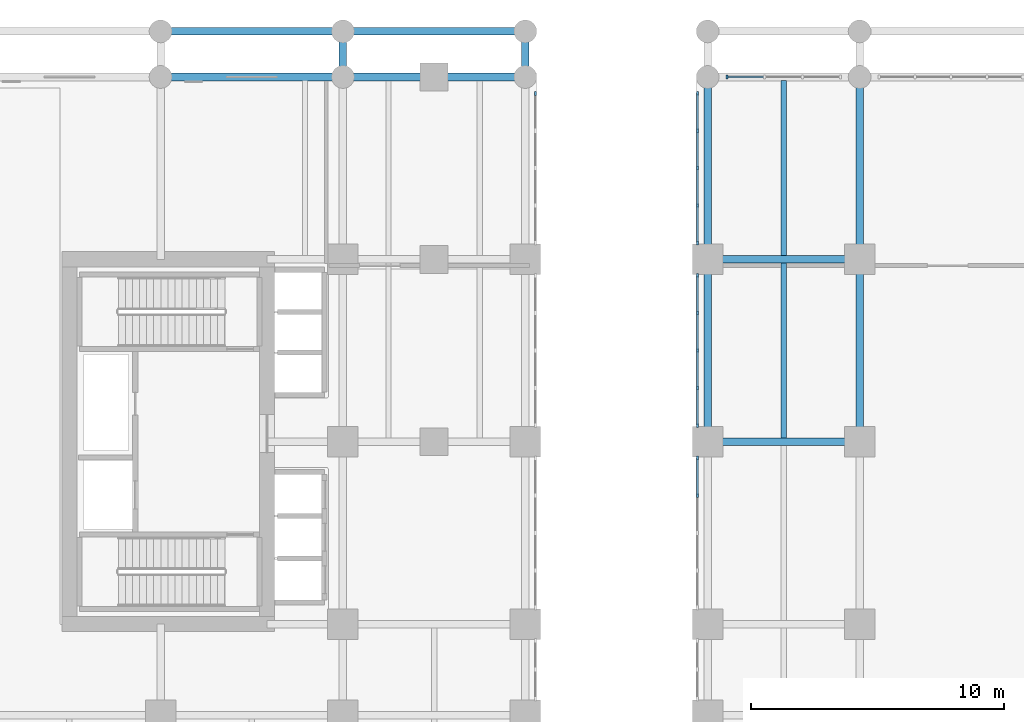
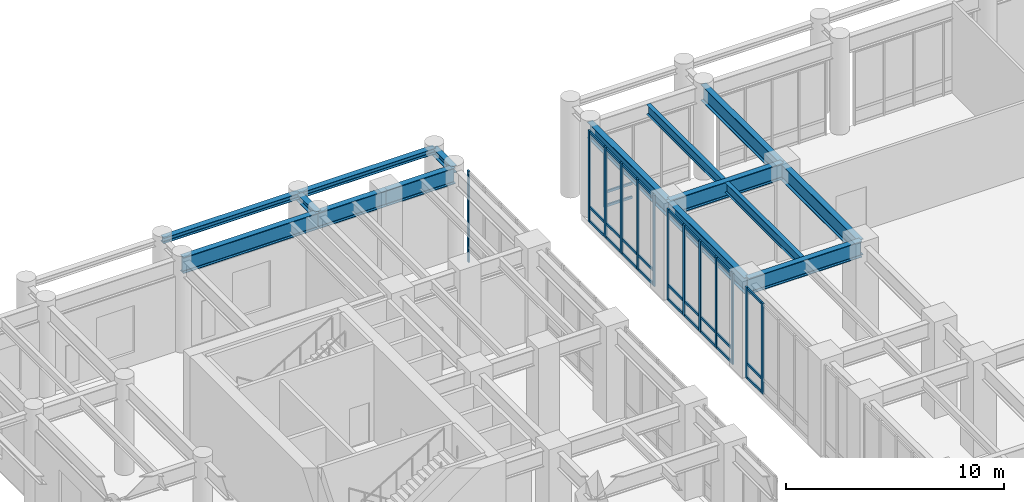
# One storey, part 7 of 23: 43 members, 15 beams, 5 elements without a shape of their own.
"""IFC4 building model written with IfcOpenShell, lengths in metres."""

from ifc_helpers import new_model, si_unit, derived_unit, direction, frame, origin, origin_2d, place, context, subcontext, project, spatial, rectangle, i_section, extrude, source, transform, mapped, material, layer, layer_set, material_profile, profile_set, type_object, type_shapes, element, aggregate, save


model = new_model("IFC4")

# Units and contexts
model_context = context("Model", 3, precision=1e-05, world=origin(), true_north=direction((0.0, 1.0)))
body_context = subcontext(model_context, "Body", "Model", "MODEL_VIEW")
ifc_project = project(units=[si_unit("LENGTHUNIT", "METRE"), si_unit("AREAUNIT", "SQUARE_METRE"), si_unit("VOLUMEUNIT", "CUBIC_METRE"), si_unit("PLANEANGLEUNIT", "RADIAN"), si_unit("MASSUNIT", "GRAM", prefix="KILO"), si_unit("THERMODYNAMICTEMPERATUREUNIT", "KELVIN"), si_unit("POWERUNIT", "WATT"), derived_unit("THERMALTRANSMITTANCEUNIT", [(si_unit("POWERUNIT", "WATT"), 1), (si_unit("AREAUNIT", "SQUARE_METRE"), -1), (si_unit("THERMODYNAMICTEMPERATUREUNIT", "KELVIN"), -1)])], contexts=[model_context])

# Site, building, storey
site_placement = place(None, origin())
site = spatial("IfcSite", under=ifc_project, at=site_placement, CompositionType="ELEMENT")
building_placement = place(site_placement, origin())
building = spatial("IfcBuilding", under=site, at=building_placement, Name="Zahravan Archway Hotel and Residences", CompositionType="ELEMENT")
storey_placement = place(building_placement, frame((0.0, 0.0, 5.39990234375)))
storey = spatial("IfcBuildingStorey", under=building, at=storey_placement, Name="L01", CompositionType="ELEMENT", Elevation=5.39990234375)

# Beams
ifc_material_1 = material(Name="Structural Steel S355J2", Category="steel")
ifc_material_profile_1 = material_profile(ifc_material_1, i_section(OverallWidth=0.300048828125, OverallDepth=0.89990234375, WebThickness=0.0185546875, FlangeThickness=0.034912109375, FilletRadius=0.030029296875, at=origin_2d()), Name="HEB 900", Category="steel")
ifc_profile_set_1 = profile_set([ifc_material_profile_1], Name="Structural Steel S355J2")
beam_type_1 = type_object("IfcBeamType", Name="BM-PRI-HEB900", PredefinedType="BEAM", material=ifc_profile_set_1)
shared_shape_1 = source(origin(), body_context, "Body", "SweptSolid", [
    extrude(i_section(OverallWidth=0.300048828125, OverallDepth=0.89990234375, WebThickness=0.0185546875, FlangeThickness=0.034912109375, FilletRadius=0.030029296875, at=origin_2d()), origin(), (0.0, 0.0, 1.0), 7.199951171875),
])
for number, where, z_axis, x_axis, name in (
    (1, (7.199951171875, 46.800048828125, 4.650146484375), (1.0, 0.0, 0.0), (0.0, 1.0, 0.0), "L01 Primary Girder EW-53"),
    (2, (28.800048828125, 39.60009765625, 4.650146484375), (0.0, 1.0, 0.0), (-1.0, 0.0, 0.0), "L01 Primary Girder NS-101"),
    (3, (34.800048828125, 39.60009765625, 4.650146484375), (0.0, 1.0, 0.0), (-1.0, 0.0, 0.0), "L01 Primary Girder NS-106"),
):
    element("IfcBeam", number, at=place(storey_placement, frame(where, z_axis=z_axis, x_axis=x_axis)), inside=storey, type_object=beam_type_1, Name=name, PredefinedType="BEAM", context=body_context, shape_type="MappedRepresentation", body=[
        mapped(shared_shape_1, transform((0.0, 0.0, 0.0), scale=1.0)),
    ])
shared_shape_2 = source(origin(), body_context, "Body", "SweptSolid", [
    extrude(i_section(OverallWidth=0.300048828125, OverallDepth=0.89990234375, WebThickness=0.0185546875, FlangeThickness=0.034912109375, FilletRadius=0.030029296875, at=origin_2d()), origin(), (0.0, 0.0, 1.0), 7.2001953125),
])
for number, where, z_axis, x_axis, name in (
    (4, (28.800048828125, 32.39990234375, 4.650146484375), (0.0, 1.0, 0.0), (-1.0, 0.0, 0.0), "L01 Primary Girder NS-100"),
    (5, (34.800048828125, 32.39990234375, 4.650146484375), (0.0, 1.0, 0.0), (-1.0, 0.0, 0.0), "L01 Primary Girder NS-105"),
):
    element("IfcBeam", number, at=place(storey_placement, frame(where, z_axis=z_axis, x_axis=x_axis)), inside=storey, type_object=beam_type_1, Name=name, PredefinedType="BEAM", context=body_context, shape_type="MappedRepresentation", body=[
        mapped(shared_shape_2, transform((0.0, 0.0, 0.0), scale=1.0)),
    ])
shared_shape_3 = source(origin(), body_context, "Body", "SweptSolid", [
    extrude(i_section(OverallWidth=0.300048828125, OverallDepth=0.89990234375, WebThickness=0.0185546875, FlangeThickness=0.034912109375, FilletRadius=0.030029296875, at=origin_2d()), origin(), (0.0, 0.0, 1.0), 6.0),
])
for number, where, z_axis, x_axis, name in (
    (6, (28.800048828125, 32.39990234375, 4.650146484375), (1.0, 0.0, 0.0), (0.0, 1.0, 0.0), "L01 Primary Girder EW-45"),
    (7, (28.800048828125, 39.60009765625, 4.650146484375), (1.0, 0.0, 0.0), (0.0, 1.0, 0.0), "L01 Primary Girder EW-50"),
):
    element("IfcBeam", number, at=place(storey_placement, frame(where, z_axis=z_axis, x_axis=x_axis)), inside=storey, type_object=beam_type_1, Name=name, PredefinedType="BEAM", context=body_context, shape_type="MappedRepresentation", body=[
        mapped(shared_shape_3, transform((0.0, 0.0, 0.0), scale=1.0)),
    ])
shared_shape_4 = source(origin(), body_context, "Body", "SweptSolid", [
    extrude(i_section(OverallWidth=0.300048828125, OverallDepth=0.89990234375, WebThickness=0.0185546875, FlangeThickness=0.034912109375, FilletRadius=0.030029296875, at=origin_2d()), origin(), (0.0, 0.0, 1.0), 3.60009765625),
])
for number, where, z_axis, x_axis, name in (
    (8, (14.39990234375, 46.800048828125, 4.650146484375), (1.0, 0.0, 0.0), (0.0, 1.0, 0.0), "L01 Primary Girder EW-54"),
    (9, (18.0, 46.800048828125, 4.650146484375), (1.0, 0.0, 0.0), (0.0, 1.0, 0.0), "L01 Primary Girder EW-55"),
):
    element("IfcBeam", number, at=place(storey_placement, frame(where, z_axis=z_axis, x_axis=x_axis)), inside=storey, type_object=beam_type_1, Name=name, PredefinedType="BEAM", context=body_context, shape_type="MappedRepresentation", body=[
        mapped(shared_shape_4, transform((0.0, 0.0, 0.0), scale=1.0)),
    ])
ifc_material_2 = material(Name="Structural Steel S355JR", Category="steel")
ifc_material_profile_2 = material_profile(ifc_material_2, i_section(OverallWidth=0.2099609375, OverallDepth=0.550048828125, WebThickness=0.010986328125, FlangeThickness=0.01708984375, FilletRadius=0.02392578125, at=origin_2d()), Name="IPE 550", Category="steel")
ifc_profile_set_2 = profile_set([ifc_material_profile_2], Name="Structural Steel S355JR")
beam_type_2 = type_object("IfcBeamType", Name="BM-JST-IPE550", PredefinedType="JOIST", material=ifc_profile_set_2)
shared_shape_5 = source(origin(), body_context, "Body", "SweptSolid", [
    extrude(i_section(OverallWidth=0.2099609375, OverallDepth=0.550048828125, WebThickness=0.010986328125, FlangeThickness=0.01708984375, FilletRadius=0.02392578125, at=origin_2d()), origin(), (0.0, 0.0, 1.0), 6.904052734375),
])
type_shapes(beam_type_2, [shared_shape_5])
beam_1_placement = place(storey_placement, frame((31.800048828125, 39.748046875, 4.8251953125), z_axis=(0.0, 1.0, 0.0), x_axis=(-1.0, 0.0, 0.0)))
element("IfcBeam", 10, at=beam_1_placement, inside=storey, type_object=beam_type_2, Name="L01 Composite Floor Joist 38", PredefinedType="JOIST", context=body_context, shape_type="MappedRepresentation", body=[
    mapped(shared_shape_5, transform((0.0, 0.0, 0.0), scale=1.0)),
])
shared_shape_6 = source(origin(), body_context, "Body", "SweptSolid", [
    extrude(i_section(OverallWidth=0.2099609375, OverallDepth=0.550048828125, WebThickness=0.010986328125, FlangeThickness=0.01708984375, FilletRadius=0.02392578125, at=origin_2d()), origin(), (0.0, 0.0, 1.0), 6.90380859375),
])
beam_2_placement = place(storey_placement, frame((31.800048828125, 32.548095703125, 4.8251953125), z_axis=(0.0, 1.0, 0.0), x_axis=(-1.0, 0.0, 0.0)))
element("IfcBeam", 11, at=beam_2_placement, inside=storey, type_object=beam_type_2, Name="L01 Composite Floor Joist 33", PredefinedType="JOIST", context=body_context, shape_type="MappedRepresentation", body=[
    mapped(shared_shape_6, transform((0.0, 0.0, 0.0), scale=1.0)),
])
ifc_material_profile_3 = material_profile(ifc_material_2, i_section(OverallWidth=0.300048828125, OverallDepth=0.320068359375, WebThickness=0.011474609375, FlangeThickness=0.0205078125, FilletRadius=0.027099609375, at=origin_2d()), Name="HEB 320", Category="steel")
ifc_profile_set_3 = profile_set([ifc_material_profile_3], Name="Structural Steel S355JR")
beam_type_3 = type_object("IfcBeamType", Name="BM-SPN-HEB320", PredefinedType="SPANDREL", material=ifc_profile_set_3)
shared_shape_7 = source(origin(), body_context, "Body", "SweptSolid", [
    extrude(i_section(OverallWidth=0.300048828125, OverallDepth=0.320068359375, WebThickness=0.011474609375, FlangeThickness=0.0205078125, FilletRadius=0.027099609375, at=origin_2d()), origin(), (0.0, 0.0, 1.0), 7.199951171875),
])
type_shapes(beam_type_3, [shared_shape_7])
beam_3_placement = place(storey_placement, frame((7.199951171875, 48.60009765625, 4.940185546875), z_axis=(1.0, 0.0, 0.0), x_axis=(0.0, 1.0, 0.0)))
element("IfcBeam", 12, at=beam_3_placement, inside=storey, type_object=beam_type_3, Name="L01 North Colonnade Spandrel 2", PredefinedType="SPANDREL", context=body_context, shape_type="MappedRepresentation", body=[
    mapped(shared_shape_7, transform((0.0, 0.0, 0.0), scale=1.0)),
])
shared_shape_8 = source(origin(), body_context, "Body", "SweptSolid", [
    extrude(i_section(OverallWidth=0.300048828125, OverallDepth=0.320068359375, WebThickness=0.011474609375, FlangeThickness=0.0205078125, FilletRadius=0.027099609375, at=origin_2d()), origin(), (0.0, 0.0, 1.0), 7.2001953125),
])
beam_4_placement = place(storey_placement, frame((14.39990234375, 48.60009765625, 4.940185546875), z_axis=(1.0, 0.0, 0.0), x_axis=(0.0, 1.0, 0.0)))
element("IfcBeam", 13, at=beam_4_placement, inside=storey, type_object=beam_type_3, Name="L01 North Colonnade Spandrel 3", PredefinedType="SPANDREL", context=body_context, shape_type="MappedRepresentation", body=[
    mapped(shared_shape_8, transform((0.0, 0.0, 0.0), scale=1.0)),
])
ifc_material_profile_4 = material_profile(ifc_material_2, i_section(OverallWidth=0.300048828125, OverallDepth=0.39990234375, WebThickness=0.013427734375, FlangeThickness=0.02392578125, FilletRadius=0.027099609375, at=origin_2d()), Name="HEB 400", Category="steel")
ifc_profile_set_4 = profile_set([ifc_material_profile_4], Name="Structural Steel S355JR")
beam_type_4 = type_object("IfcBeamType", Name="BM-PRI-HEB400", PredefinedType="BEAM", material=ifc_profile_set_4)
shared_shape_9 = source(origin(), body_context, "Body", "SweptSolid", [
    extrude(i_section(OverallWidth=0.300048828125, OverallDepth=0.39990234375, WebThickness=0.013427734375, FlangeThickness=0.02392578125, FilletRadius=0.027099609375, at=origin_2d()), origin(), (0.0, 0.0, 1.0), 1.800048828125),
])
for number, where, z_axis, x_axis, name in (
    (14, (14.39990234375, 46.800048828125, 4.900146484375), (0.0, 1.0, 0.0), (-1.0, 0.0, 0.0), "L01 North Colonnade Tie Girder 3"),
    (15, (21.60009765625, 46.800048828125, 4.900146484375), (0.0, 1.0, 0.0), (-1.0, 0.0, 0.0), "L01 North Colonnade Tie Girder 4"),
):
    element("IfcBeam", number, at=place(storey_placement, frame(where, z_axis=z_axis, x_axis=x_axis)), inside=storey, type_object=beam_type_4, Name=name, PredefinedType="BEAM", context=body_context, shape_type="MappedRepresentation", body=[
        mapped(shared_shape_9, transform((0.0, 0.0, 0.0), scale=1.0)),
    ])

# Curtain wall, members
ifc_material_3 = material(Name="Bronze-Anodized Unitised Aluminium & Low-E Glass", Category="aluminium")
ifc_layer = layer(ifc_material_3, 0.179931640625, Name="Bronze-Anodized Unitised Aluminium & Low-E Glass", Category="aluminium")
ifc_layer_set = layer_set([ifc_layer], Name="Bronze-Anodized Unitised Aluminium & Low-E Glass")
curtain_wall_type = type_object("IfcCurtainWallType", Name="CW-POD-ARCH", PredefinedType="NOTDEFINED", material=ifc_layer_set)
curtain_wall_1_placement = place(storey_placement, origin())
curtain_wall_1 = element("IfcCurtainWall", 16, at=curtain_wall_1_placement, inside=storey, type_object=curtain_wall_type, Name="L01 Curtain Wall CW-POD-L01-1", PredefinedType="NOTDEFINED")
ifc_material_4 = material(Name="Bronze-Anodized Extruded Aluminium", Category="aluminium")
ifc_material_profile_5 = material_profile(ifc_material_4, rectangle(XDim=0.080078125, YDim=0.139892578125, at=origin_2d()), Name="TRN 80x140", Category="aluminium")
ifc_profile_set_5 = profile_set([ifc_material_profile_5], Name="Bronze-Anodized Extruded Aluminium")
member_type_1 = type_object("IfcMemberType", Name="CWM-TRN-140", PredefinedType="USERDEFINED", material=ifc_profile_set_5)
shared_shape_10 = source(origin(), body_context, "Body", "SweptSolid", [
    extrude(rectangle(XDim=0.080078125, YDim=0.139892578125, at=origin_2d()), origin(), (0.0, 0.0, 1.0), 1.4130859375),
])
type_shapes(member_type_1, [shared_shape_10])
member_1_placement = place(storey_placement, frame((29.60009765625, 46.800048828125, 0.070068359375), z_axis=(1.0, 0.0, 0.0), x_axis=(0.0, 1.0, 0.0)))
member_1 = element("IfcMember", 17, at=member_1_placement, type_object=member_type_1, Name="CW-POD-L01-1 Transom 0-1", ObjectType="TRANSOM", PredefinedType="USERDEFINED", context=body_context, shape_type="MappedRepresentation", body=[
    mapped(shared_shape_10, transform((0.0, 0.0, 0.0), scale=1.0)),
])
member_2_placement = place(storey_placement, frame((29.60009765625, 46.800048828125, 0.85009765625), z_axis=(1.0, 0.0, 0.0), x_axis=(0.0, 1.0, 0.0)))
member_2 = element("IfcMember", 18, at=member_2_placement, type_object=member_type_1, Name="CW-POD-L01-1 Transom 0-2", ObjectType="TRANSOM", PredefinedType="USERDEFINED", context=body_context, shape_type="MappedRepresentation", body=[
    mapped(shared_shape_10, transform((0.0, 0.0, 0.0), scale=1.0)),
])

# Curtain wall, member
curtain_wall_2_placement = place(storey_placement, origin())
curtain_wall_2 = element("IfcCurtainWall", 19, at=curtain_wall_2_placement, inside=storey, type_object=curtain_wall_type, Name="L01 Curtain Wall CW-PORTW-L01-7", PredefinedType="NOTDEFINED")
ifc_material_profile_6 = material_profile(ifc_material_4, rectangle(XDim=0.080078125, YDim=0.159912109375, at=origin_2d()), Name="MUL 80x160", Category="aluminium")
ifc_profile_set_6 = profile_set([ifc_material_profile_6], Name="Bronze-Anodized Extruded Aluminium")
member_type_2 = type_object("IfcMemberType", Name="CWM-MUL-160", PredefinedType="MULLION", material=ifc_profile_set_6)
shared_shape_11 = source(origin(), body_context, "Body", "SweptSolid", [
    extrude(rectangle(XDim=0.080078125, YDim=0.159912109375, at=origin_2d()), origin(), (0.0, 0.0, 1.0), 5.10009765625),
])
member_3_placement = place(storey_placement, frame((22.0, 46.15478515625, 0.0), z_axis=(0.0, 0.0, 1.0), x_axis=(1.0, 0.0, 0.0)))
member_3 = element("IfcMember", 20, at=member_3_placement, type_object=member_type_2, Name="CW-PORTW-L01-7 Mullion 4", PredefinedType="MULLION", context=body_context, shape_type="MappedRepresentation", body=[
    mapped(shared_shape_11, transform((0.0, 0.0, 0.0), scale=1.0)),
])
aggregate(curtain_wall_2, [member_3])

# Curtain wall, members
curtain_wall_3_placement = place(storey_placement, origin())
curtain_wall_3 = element("IfcCurtainWall", 21, at=curtain_wall_3_placement, inside=storey, type_object=curtain_wall_type, Name="L01 Curtain Wall CW-PORTE-L01-5", PredefinedType="NOTDEFINED")
member_4_placement = place(storey_placement, frame((28.39990234375, 30.27734375, 0.0), z_axis=(0.0, 0.0, 1.0), x_axis=(1.0, 0.0, 0.0)))
member_4 = element("IfcMember", 22, at=member_4_placement, type_object=member_type_2, Name="CW-PORTE-L01-5 Mullion 3", PredefinedType="MULLION", context=body_context, shape_type="MappedRepresentation", body=[
    mapped(shared_shape_11, transform((0.0, 0.0, 0.0), scale=1.0)),
])
member_5_placement = place(storey_placement, frame((28.39990234375, 31.7548828125, 0.0), z_axis=(0.0, 0.0, 1.0), x_axis=(1.0, 0.0, 0.0)))
member_5 = element("IfcMember", 23, at=member_5_placement, type_object=member_type_2, Name="CW-PORTE-L01-5 Mullion 4", PredefinedType="MULLION", context=body_context, shape_type="MappedRepresentation", body=[
    mapped(shared_shape_11, transform((0.0, 0.0, 0.0), scale=1.0)),
])

curtain_wall_4_placement = place(storey_placement, origin())
curtain_wall_4 = element("IfcCurtainWall", 24, at=curtain_wall_4_placement, inside=storey, type_object=curtain_wall_type, Name="L01 Curtain Wall CW-PORTE-L01-6", PredefinedType="NOTDEFINED")
member_6_placement = place(storey_placement, frame((28.39990234375, 33.045166015625, 0.0), z_axis=(0.0, 0.0, 1.0), x_axis=(1.0, 0.0, 0.0)))
member_6 = element("IfcMember", 25, at=member_6_placement, type_object=member_type_2, Name="CW-PORTE-L01-6 Mullion 0", PredefinedType="MULLION", context=body_context, shape_type="MappedRepresentation", body=[
    mapped(shared_shape_11, transform((0.0, 0.0, 0.0), scale=1.0)),
])
member_7_placement = place(storey_placement, frame((28.39990234375, 34.522705078125, 0.0), z_axis=(0.0, 0.0, 1.0), x_axis=(1.0, 0.0, 0.0)))
member_7 = element("IfcMember", 26, at=member_7_placement, type_object=member_type_2, Name="CW-PORTE-L01-6 Mullion 1", PredefinedType="MULLION", context=body_context, shape_type="MappedRepresentation", body=[
    mapped(shared_shape_11, transform((0.0, 0.0, 0.0), scale=1.0)),
])
member_8_placement = place(storey_placement, frame((28.39990234375, 36.0, 0.0), z_axis=(0.0, 0.0, 1.0), x_axis=(1.0, 0.0, 0.0)))
member_8 = element("IfcMember", 27, at=member_8_placement, type_object=member_type_2, Name="CW-PORTE-L01-6 Mullion 2", PredefinedType="MULLION", context=body_context, shape_type="MappedRepresentation", body=[
    mapped(shared_shape_11, transform((0.0, 0.0, 0.0), scale=1.0)),
])
member_9_placement = place(storey_placement, frame((28.39990234375, 37.477294921875, 0.0), z_axis=(0.0, 0.0, 1.0), x_axis=(1.0, 0.0, 0.0)))
member_9 = element("IfcMember", 28, at=member_9_placement, type_object=member_type_2, Name="CW-PORTE-L01-6 Mullion 3", PredefinedType="MULLION", context=body_context, shape_type="MappedRepresentation", body=[
    mapped(shared_shape_11, transform((0.0, 0.0, 0.0), scale=1.0)),
])
member_10_placement = place(storey_placement, frame((28.39990234375, 38.954833984375, 0.0), z_axis=(0.0, 0.0, 1.0), x_axis=(1.0, 0.0, 0.0)))
member_10 = element("IfcMember", 29, at=member_10_placement, type_object=member_type_2, Name="CW-PORTE-L01-6 Mullion 4", PredefinedType="MULLION", context=body_context, shape_type="MappedRepresentation", body=[
    mapped(shared_shape_11, transform((0.0, 0.0, 0.0), scale=1.0)),
])

curtain_wall_5_placement = place(storey_placement, origin())
curtain_wall_5 = element("IfcCurtainWall", 30, at=curtain_wall_5_placement, inside=storey, type_object=curtain_wall_type, Name="L01 Curtain Wall CW-PORTE-L01-7", PredefinedType="NOTDEFINED")
member_11_placement = place(storey_placement, frame((28.39990234375, 40.2451171875, 0.0), z_axis=(0.0, 0.0, 1.0), x_axis=(1.0, 0.0, 0.0)))
member_11 = element("IfcMember", 31, at=member_11_placement, type_object=member_type_2, Name="CW-PORTE-L01-7 Mullion 0", PredefinedType="MULLION", context=body_context, shape_type="MappedRepresentation", body=[
    mapped(shared_shape_11, transform((0.0, 0.0, 0.0), scale=1.0)),
])
member_12_placement = place(storey_placement, frame((28.39990234375, 41.72265625, 0.0), z_axis=(0.0, 0.0, 1.0), x_axis=(1.0, 0.0, 0.0)))
member_12 = element("IfcMember", 32, at=member_12_placement, type_object=member_type_2, Name="CW-PORTE-L01-7 Mullion 1", PredefinedType="MULLION", context=body_context, shape_type="MappedRepresentation", body=[
    mapped(shared_shape_11, transform((0.0, 0.0, 0.0), scale=1.0)),
])
member_13_placement = place(storey_placement, frame((28.39990234375, 43.199951171875, 0.0), z_axis=(0.0, 0.0, 1.0), x_axis=(1.0, 0.0, 0.0)))
member_13 = element("IfcMember", 33, at=member_13_placement, type_object=member_type_2, Name="CW-PORTE-L01-7 Mullion 2", PredefinedType="MULLION", context=body_context, shape_type="MappedRepresentation", body=[
    mapped(shared_shape_11, transform((0.0, 0.0, 0.0), scale=1.0)),
])
member_14_placement = place(storey_placement, frame((28.39990234375, 44.677490234375, 0.0), z_axis=(0.0, 0.0, 1.0), x_axis=(1.0, 0.0, 0.0)))
member_14 = element("IfcMember", 34, at=member_14_placement, type_object=member_type_2, Name="CW-PORTE-L01-7 Mullion 3", PredefinedType="MULLION", context=body_context, shape_type="MappedRepresentation", body=[
    mapped(shared_shape_11, transform((0.0, 0.0, 0.0), scale=1.0)),
])
member_15_placement = place(storey_placement, frame((28.39990234375, 46.15478515625, 0.0), z_axis=(0.0, 0.0, 1.0), x_axis=(1.0, 0.0, 0.0)))
member_15 = element("IfcMember", 35, at=member_15_placement, type_object=member_type_2, Name="CW-PORTE-L01-7 Mullion 4", PredefinedType="MULLION", context=body_context, shape_type="MappedRepresentation", body=[
    mapped(shared_shape_11, transform((0.0, 0.0, 0.0), scale=1.0)),
])
shared_shape_12 = source(origin(), body_context, "Body", "SweptSolid", [
    extrude(rectangle(XDim=0.080078125, YDim=0.139892578125, at=origin_2d()), origin(), (0.0, 0.0, 1.0), 1.397216796875),
])
member_16_placement = place(storey_placement, frame((28.39990234375, 41.7626953125, 0.070068359375), z_axis=(0.0, 1.0, 0.0), x_axis=(-1.0, 0.0, 0.0)))
member_16 = element("IfcMember", 36, at=member_16_placement, type_object=member_type_1, Name="CW-PORTE-L01-7 Transom 1-1", ObjectType="TRANSOM", PredefinedType="USERDEFINED", context=body_context, shape_type="MappedRepresentation", body=[
    mapped(shared_shape_12, transform((0.0, 0.0, 0.0), scale=1.0)),
])
member_17_placement = place(storey_placement, frame((28.39990234375, 41.7626953125, 0.85009765625), z_axis=(0.0, 1.0, 0.0), x_axis=(-1.0, 0.0, 0.0)))
member_17 = element("IfcMember", 37, at=member_17_placement, type_object=member_type_1, Name="CW-PORTE-L01-7 Transom 1-2", ObjectType="TRANSOM", PredefinedType="USERDEFINED", context=body_context, shape_type="MappedRepresentation", body=[
    mapped(shared_shape_12, transform((0.0, 0.0, 0.0), scale=1.0)),
])
member_18_placement = place(storey_placement, frame((28.39990234375, 41.7626953125, 5.030029296875), z_axis=(0.0, 1.0, 0.0), x_axis=(-1.0, 0.0, 0.0)))
member_18 = element("IfcMember", 38, at=member_18_placement, type_object=member_type_1, Name="CW-PORTE-L01-7 Transom 1-3", ObjectType="TRANSOM", PredefinedType="USERDEFINED", context=body_context, shape_type="MappedRepresentation", body=[
    mapped(shared_shape_12, transform((0.0, 0.0, 0.0), scale=1.0)),
])

# Member
shared_shape_13 = source(origin(), body_context, "Body", "SweptSolid", [
    extrude(rectangle(XDim=0.080078125, YDim=0.139892578125, at=origin_2d()), origin(), (0.0, 0.0, 1.0), 1.3974609375),
])
member_19_placement = place(storey_placement, frame((28.39990234375, 30.3173828125, 0.070068359375), z_axis=(0.0, 1.0, 0.0), x_axis=(-1.0, 0.0, 0.0)))
member_19 = element("IfcMember", 39, at=member_19_placement, type_object=member_type_1, Name="CW-PORTE-L01-5 Transom 3-1", ObjectType="TRANSOM", PredefinedType="USERDEFINED", context=body_context, shape_type="MappedRepresentation", body=[
    mapped(shared_shape_13, transform((0.0, 0.0, 0.0), scale=1.0)),
])

member_20_placement = place(storey_placement, frame((28.39990234375, 30.3173828125, 0.85009765625), z_axis=(0.0, 1.0, 0.0), x_axis=(-1.0, 0.0, 0.0)))
member_20 = element("IfcMember", 40, at=member_20_placement, type_object=member_type_1, Name="CW-PORTE-L01-5 Transom 3-2", ObjectType="TRANSOM", PredefinedType="USERDEFINED", context=body_context, shape_type="MappedRepresentation", body=[
    mapped(shared_shape_13, transform((0.0, 0.0, 0.0), scale=1.0)),
])

member_21_placement = place(storey_placement, frame((28.39990234375, 30.3173828125, 5.030029296875), z_axis=(0.0, 1.0, 0.0), x_axis=(-1.0, 0.0, 0.0)))
member_21 = element("IfcMember", 41, at=member_21_placement, type_object=member_type_1, Name="CW-PORTE-L01-5 Transom 3-3", ObjectType="TRANSOM", PredefinedType="USERDEFINED", context=body_context, shape_type="MappedRepresentation", body=[
    mapped(shared_shape_13, transform((0.0, 0.0, 0.0), scale=1.0)),
])

aggregate(curtain_wall_3, [member_4, member_5, member_19, member_20, member_21])

member_22_placement = place(storey_placement, frame((28.39990234375, 33.085205078125, 0.070068359375), z_axis=(0.0, 1.0, 0.0), x_axis=(-1.0, 0.0, 0.0)))
member_22 = element("IfcMember", 42, at=member_22_placement, type_object=member_type_1, Name="CW-PORTE-L01-6 Transom 0-1", ObjectType="TRANSOM", PredefinedType="USERDEFINED", context=body_context, shape_type="MappedRepresentation", body=[
    mapped(shared_shape_13, transform((0.0, 0.0, 0.0), scale=1.0)),
])

member_23_placement = place(storey_placement, frame((28.39990234375, 33.085205078125, 0.85009765625), z_axis=(0.0, 1.0, 0.0), x_axis=(-1.0, 0.0, 0.0)))
member_23 = element("IfcMember", 43, at=member_23_placement, type_object=member_type_1, Name="CW-PORTE-L01-6 Transom 0-2", ObjectType="TRANSOM", PredefinedType="USERDEFINED", context=body_context, shape_type="MappedRepresentation", body=[
    mapped(shared_shape_13, transform((0.0, 0.0, 0.0), scale=1.0)),
])

member_24_placement = place(storey_placement, frame((28.39990234375, 33.085205078125, 5.030029296875), z_axis=(0.0, 1.0, 0.0), x_axis=(-1.0, 0.0, 0.0)))
member_24 = element("IfcMember", 44, at=member_24_placement, type_object=member_type_1, Name="CW-PORTE-L01-6 Transom 0-3", ObjectType="TRANSOM", PredefinedType="USERDEFINED", context=body_context, shape_type="MappedRepresentation", body=[
    mapped(shared_shape_13, transform((0.0, 0.0, 0.0), scale=1.0)),
])

member_25_placement = place(storey_placement, frame((28.39990234375, 34.5625, 0.070068359375), z_axis=(0.0, 1.0, 0.0), x_axis=(-1.0, 0.0, 0.0)))
member_25 = element("IfcMember", 45, at=member_25_placement, type_object=member_type_1, Name="CW-PORTE-L01-6 Transom 1-1", ObjectType="TRANSOM", PredefinedType="USERDEFINED", context=body_context, shape_type="MappedRepresentation", body=[
    mapped(shared_shape_13, transform((0.0, 0.0, 0.0), scale=1.0)),
])

member_26_placement = place(storey_placement, frame((28.39990234375, 34.5625, 0.85009765625), z_axis=(0.0, 1.0, 0.0), x_axis=(-1.0, 0.0, 0.0)))
member_26 = element("IfcMember", 46, at=member_26_placement, type_object=member_type_1, Name="CW-PORTE-L01-6 Transom 1-2", ObjectType="TRANSOM", PredefinedType="USERDEFINED", context=body_context, shape_type="MappedRepresentation", body=[
    mapped(shared_shape_13, transform((0.0, 0.0, 0.0), scale=1.0)),
])

member_27_placement = place(storey_placement, frame((28.39990234375, 34.5625, 5.030029296875), z_axis=(0.0, 1.0, 0.0), x_axis=(-1.0, 0.0, 0.0)))
member_27 = element("IfcMember", 47, at=member_27_placement, type_object=member_type_1, Name="CW-PORTE-L01-6 Transom 1-3", ObjectType="TRANSOM", PredefinedType="USERDEFINED", context=body_context, shape_type="MappedRepresentation", body=[
    mapped(shared_shape_13, transform((0.0, 0.0, 0.0), scale=1.0)),
])

member_28_placement = place(storey_placement, frame((28.39990234375, 36.0400390625, 0.070068359375), z_axis=(0.0, 1.0, 0.0), x_axis=(-1.0, 0.0, 0.0)))
member_28 = element("IfcMember", 48, at=member_28_placement, type_object=member_type_1, Name="CW-PORTE-L01-6 Transom 2-1", ObjectType="TRANSOM", PredefinedType="USERDEFINED", context=body_context, shape_type="MappedRepresentation", body=[
    mapped(shared_shape_13, transform((0.0, 0.0, 0.0), scale=1.0)),
])

member_29_placement = place(storey_placement, frame((28.39990234375, 36.0400390625, 0.85009765625), z_axis=(0.0, 1.0, 0.0), x_axis=(-1.0, 0.0, 0.0)))
member_29 = element("IfcMember", 49, at=member_29_placement, type_object=member_type_1, Name="CW-PORTE-L01-6 Transom 2-2", ObjectType="TRANSOM", PredefinedType="USERDEFINED", context=body_context, shape_type="MappedRepresentation", body=[
    mapped(shared_shape_13, transform((0.0, 0.0, 0.0), scale=1.0)),
])

member_30_placement = place(storey_placement, frame((28.39990234375, 36.0400390625, 5.030029296875), z_axis=(0.0, 1.0, 0.0), x_axis=(-1.0, 0.0, 0.0)))
member_30 = element("IfcMember", 50, at=member_30_placement, type_object=member_type_1, Name="CW-PORTE-L01-6 Transom 2-3", ObjectType="TRANSOM", PredefinedType="USERDEFINED", context=body_context, shape_type="MappedRepresentation", body=[
    mapped(shared_shape_13, transform((0.0, 0.0, 0.0), scale=1.0)),
])

member_31_placement = place(storey_placement, frame((28.39990234375, 37.517333984375, 0.070068359375), z_axis=(0.0, 1.0, 0.0), x_axis=(-1.0, 0.0, 0.0)))
member_31 = element("IfcMember", 51, at=member_31_placement, type_object=member_type_1, Name="CW-PORTE-L01-6 Transom 3-1", ObjectType="TRANSOM", PredefinedType="USERDEFINED", context=body_context, shape_type="MappedRepresentation", body=[
    mapped(shared_shape_13, transform((0.0, 0.0, 0.0), scale=1.0)),
])

member_32_placement = place(storey_placement, frame((28.39990234375, 37.517333984375, 0.85009765625), z_axis=(0.0, 1.0, 0.0), x_axis=(-1.0, 0.0, 0.0)))
member_32 = element("IfcMember", 52, at=member_32_placement, type_object=member_type_1, Name="CW-PORTE-L01-6 Transom 3-2", ObjectType="TRANSOM", PredefinedType="USERDEFINED", context=body_context, shape_type="MappedRepresentation", body=[
    mapped(shared_shape_13, transform((0.0, 0.0, 0.0), scale=1.0)),
])

member_33_placement = place(storey_placement, frame((28.39990234375, 37.517333984375, 5.030029296875), z_axis=(0.0, 1.0, 0.0), x_axis=(-1.0, 0.0, 0.0)))
member_33 = element("IfcMember", 53, at=member_33_placement, type_object=member_type_1, Name="CW-PORTE-L01-6 Transom 3-3", ObjectType="TRANSOM", PredefinedType="USERDEFINED", context=body_context, shape_type="MappedRepresentation", body=[
    mapped(shared_shape_13, transform((0.0, 0.0, 0.0), scale=1.0)),
])

aggregate(curtain_wall_4, [member_6, member_7, member_8, member_9, member_10, member_22, member_23, member_24, member_25, member_26, member_27, member_28, member_29, member_30, member_31, member_32, member_33])

member_34_placement = place(storey_placement, frame((28.39990234375, 40.28515625, 0.070068359375), z_axis=(0.0, 1.0, 0.0), x_axis=(-1.0, 0.0, 0.0)))
member_34 = element("IfcMember", 54, at=member_34_placement, type_object=member_type_1, Name="CW-PORTE-L01-7 Transom 0-1", ObjectType="TRANSOM", PredefinedType="USERDEFINED", context=body_context, shape_type="MappedRepresentation", body=[
    mapped(shared_shape_13, transform((0.0, 0.0, 0.0), scale=1.0)),
])

member_35_placement = place(storey_placement, frame((28.39990234375, 40.28515625, 0.85009765625), z_axis=(0.0, 1.0, 0.0), x_axis=(-1.0, 0.0, 0.0)))
member_35 = element("IfcMember", 55, at=member_35_placement, type_object=member_type_1, Name="CW-PORTE-L01-7 Transom 0-2", ObjectType="TRANSOM", PredefinedType="USERDEFINED", context=body_context, shape_type="MappedRepresentation", body=[
    mapped(shared_shape_13, transform((0.0, 0.0, 0.0), scale=1.0)),
])

member_36_placement = place(storey_placement, frame((28.39990234375, 40.28515625, 5.030029296875), z_axis=(0.0, 1.0, 0.0), x_axis=(-1.0, 0.0, 0.0)))
member_36 = element("IfcMember", 56, at=member_36_placement, type_object=member_type_1, Name="CW-PORTE-L01-7 Transom 0-3", ObjectType="TRANSOM", PredefinedType="USERDEFINED", context=body_context, shape_type="MappedRepresentation", body=[
    mapped(shared_shape_13, transform((0.0, 0.0, 0.0), scale=1.0)),
])

member_37_placement = place(storey_placement, frame((28.39990234375, 43.239990234375, 0.070068359375), z_axis=(0.0, 1.0, 0.0), x_axis=(-1.0, 0.0, 0.0)))
member_37 = element("IfcMember", 57, at=member_37_placement, type_object=member_type_1, Name="CW-PORTE-L01-7 Transom 2-1", ObjectType="TRANSOM", PredefinedType="USERDEFINED", context=body_context, shape_type="MappedRepresentation", body=[
    mapped(shared_shape_13, transform((0.0, 0.0, 0.0), scale=1.0)),
])

member_38_placement = place(storey_placement, frame((28.39990234375, 43.239990234375, 0.85009765625), z_axis=(0.0, 1.0, 0.0), x_axis=(-1.0, 0.0, 0.0)))
member_38 = element("IfcMember", 58, at=member_38_placement, type_object=member_type_1, Name="CW-PORTE-L01-7 Transom 2-2", ObjectType="TRANSOM", PredefinedType="USERDEFINED", context=body_context, shape_type="MappedRepresentation", body=[
    mapped(shared_shape_13, transform((0.0, 0.0, 0.0), scale=1.0)),
])

member_39_placement = place(storey_placement, frame((28.39990234375, 43.239990234375, 5.030029296875), z_axis=(0.0, 1.0, 0.0), x_axis=(-1.0, 0.0, 0.0)))
member_39 = element("IfcMember", 59, at=member_39_placement, type_object=member_type_1, Name="CW-PORTE-L01-7 Transom 2-3", ObjectType="TRANSOM", PredefinedType="USERDEFINED", context=body_context, shape_type="MappedRepresentation", body=[
    mapped(shared_shape_13, transform((0.0, 0.0, 0.0), scale=1.0)),
])

member_40_placement = place(storey_placement, frame((28.39990234375, 44.71728515625, 0.070068359375), z_axis=(0.0, 1.0, 0.0), x_axis=(-1.0, 0.0, 0.0)))
member_40 = element("IfcMember", 60, at=member_40_placement, type_object=member_type_1, Name="CW-PORTE-L01-7 Transom 3-1", ObjectType="TRANSOM", PredefinedType="USERDEFINED", context=body_context, shape_type="MappedRepresentation", body=[
    mapped(shared_shape_13, transform((0.0, 0.0, 0.0), scale=1.0)),
])

member_41_placement = place(storey_placement, frame((28.39990234375, 44.71728515625, 0.85009765625), z_axis=(0.0, 1.0, 0.0), x_axis=(-1.0, 0.0, 0.0)))
member_41 = element("IfcMember", 61, at=member_41_placement, type_object=member_type_1, Name="CW-PORTE-L01-7 Transom 3-2", ObjectType="TRANSOM", PredefinedType="USERDEFINED", context=body_context, shape_type="MappedRepresentation", body=[
    mapped(shared_shape_13, transform((0.0, 0.0, 0.0), scale=1.0)),
])

member_42_placement = place(storey_placement, frame((28.39990234375, 44.71728515625, 5.030029296875), z_axis=(0.0, 1.0, 0.0), x_axis=(-1.0, 0.0, 0.0)))
member_42 = element("IfcMember", 62, at=member_42_placement, type_object=member_type_1, Name="CW-PORTE-L01-7 Transom 3-3", ObjectType="TRANSOM", PredefinedType="USERDEFINED", context=body_context, shape_type="MappedRepresentation", body=[
    mapped(shared_shape_13, transform((0.0, 0.0, 0.0), scale=1.0)),
])

aggregate(curtain_wall_5, [member_11, member_12, member_13, member_14, member_15, member_34, member_35, member_36, member_16, member_17, member_18, member_37, member_38, member_39, member_40, member_41, member_42])

shared_shape_14 = source(origin(), body_context, "Body", "SweptSolid", [
    extrude(rectangle(XDim=0.080078125, YDim=0.159912109375, at=origin_2d()), origin(), (0.0, 0.0, 1.0), 4.18505859375),
])
member_43_placement = place(storey_placement, frame((29.56005859375, 46.800048828125, 0.0), z_axis=(0.0, 0.0, 1.0), x_axis=(1.0, 0.0, 0.0)))
member_43 = element("IfcMember", 63, at=member_43_placement, type_object=member_type_2, Name="CW-POD-L01-1 Mullion 0", PredefinedType="MULLION", context=body_context, shape_type="MappedRepresentation", body=[
    mapped(shared_shape_14, transform((0.0, 0.0, 0.0), scale=1.0)),
])

aggregate(curtain_wall_1, [member_43, member_1, member_2])

save(model, "model.ifc")
